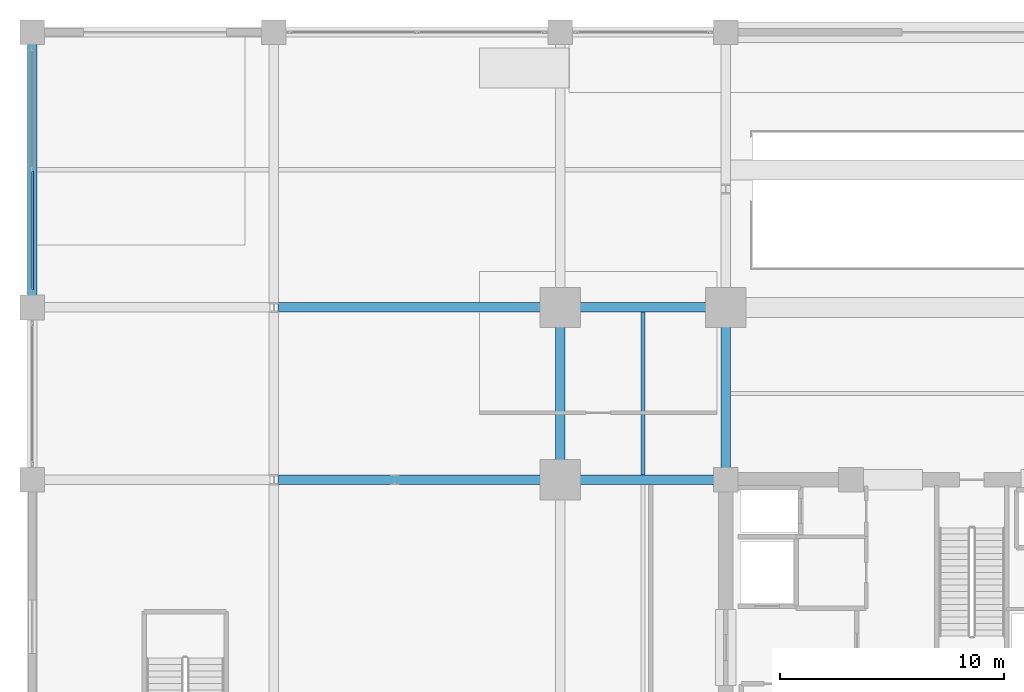
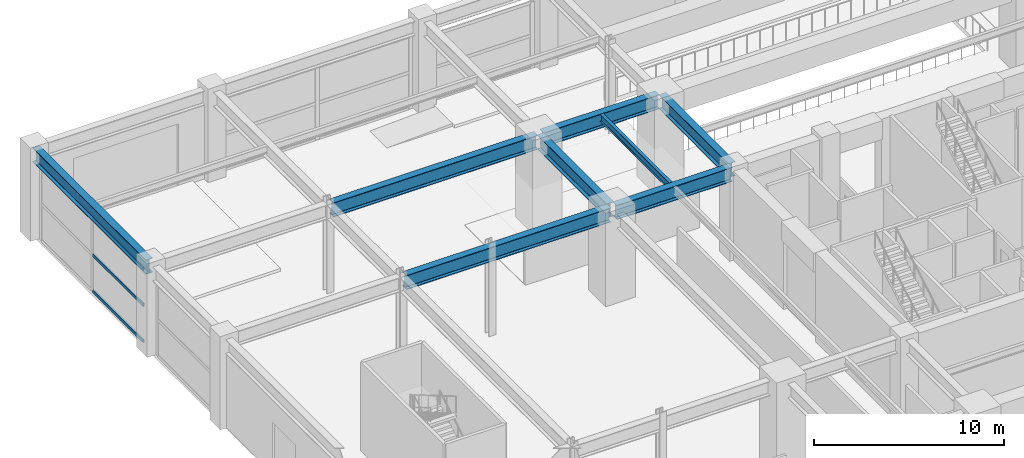
# One storey, part 14 of 41: 8 beams, 3 members, 1 element without a shape of its own.
"""IFC4 building model written with IfcOpenShell, lengths in metres."""

from ifc_helpers import new_model, si_unit, direction, frame, origin, origin_2d, place, context, subcontext, project, spatial, hollow_rectangle, i_section, extrude, material, material_profile, profile_set, type_object, element, aggregate, save


model = new_model("IFC4")

# Units and contexts
model_context = context("Model", 3, precision=1e-05, world=origin(), true_north=direction((0.0, 1.0)))
body_context = subcontext(model_context, "Body", "Model", "MODEL_VIEW")
ifc_project = project(units=[si_unit("LENGTHUNIT", "METRE"), si_unit("AREAUNIT", "SQUARE_METRE"), si_unit("VOLUMEUNIT", "CUBIC_METRE"), si_unit("PLANEANGLEUNIT", "RADIAN"), si_unit("MASSUNIT", "GRAM", prefix="KILO")], contexts=[model_context])

# Site, building, storey
site_placement = place(None, origin())
site = spatial("IfcSite", under=ifc_project, at=site_placement, CompositionType="ELEMENT")
building_placement = place(site_placement, origin())
building = spatial("IfcBuilding", under=site, at=building_placement, Name="Kovane Verandah Tower", CompositionType="ELEMENT")
storey_placement = place(building_placement, origin())
storey = spatial("IfcBuildingStorey", under=building, at=storey_placement, Name="L00", CompositionType="ELEMENT", Elevation=0.0)

# Beams
ifc_material_1 = material(Name="Steel S460", Category="steel")
ifc_material_profile_1 = material_profile(ifc_material_1, i_section(OverallWidth=0.42041015625, OverallDepth=0.9208984375, WebThickness=0.021484375, FlangeThickness=0.03662109375, FilletRadius=0.024169921875, at=origin_2d()), Name="UB914x419x388")
ifc_profile_set_1 = profile_set([ifc_material_profile_1], Name="Steel S460")
beam_type_1 = type_object("IfcBeamType", Name="BM-UB914x388", PredefinedType="BEAM", material=ifc_profile_set_1)
beam_1_placement = place(storey_placement, frame((21.780029296875, 44.199951171875, 5.259521484375), z_axis=(1.0, 0.0, 0.0), x_axis=(0.0, 1.0, 0.0)))
element("IfcBeam", 1, at=beam_1_placement, inside=storey, type_object=beam_type_1, Name="L00 Primary Tower Girder G-RN1", PredefinedType="BEAM", context=body_context, shape_type="SweptSolid", body=[
    extrude(i_section(OverallWidth=0.42041015625, OverallDepth=0.9208984375, WebThickness=0.021484375, FlangeThickness=0.03662109375, FilletRadius=0.024169921875, at=origin_2d()), origin(), (0.0, 0.0, 1.0), 7.0400390625),
])
beam_2_placement = place(storey_placement, frame((21.60009765625, 36.679931640625, 5.259521484375), z_axis=(0.0, 1.0, 0.0), x_axis=(-1.0, 0.0, 0.0)))
element("IfcBeam", 2, at=beam_2_placement, inside=storey, type_object=beam_type_1, Name="L00 Primary Tower Girder G-RW3", PredefinedType="BEAM", context=body_context, shape_type="SweptSolid", body=[
    extrude(i_section(OverallWidth=0.42041015625, OverallDepth=0.9208984375, WebThickness=0.021484375, FlangeThickness=0.03662109375, FilletRadius=0.024169921875, at=origin_2d()), origin(), (0.0, 0.0, 1.0), 7.340087890625),
])
beam_3_placement = place(storey_placement, frame((28.820068359375, 36.5, 5.259521484375), z_axis=(-1.0, 0.0, 0.0), x_axis=(0.0, -1.0, 0.0)))
element("IfcBeam", 3, at=beam_3_placement, inside=storey, type_object=beam_type_1, Name="L00 Primary Tower Girder G-W2", PredefinedType="BEAM", context=body_context, shape_type="SweptSolid", body=[
    extrude(i_section(OverallWidth=0.42041015625, OverallDepth=0.9208984375, WebThickness=0.021484375, FlangeThickness=0.03662109375, FilletRadius=0.024169921875, at=origin_2d()), origin(), (0.0, 0.0, 1.0), 7.0400390625),
])
beam_4_placement = place(storey_placement, frame((29.0, 36.679931640625, 5.259521484375), z_axis=(0.0, 1.0, 0.0), x_axis=(-1.0, 0.0, 0.0)))
element("IfcBeam", 4, at=beam_4_placement, inside=storey, type_object=beam_type_1, Name="L00 Primary Tower Girder G-N1", PredefinedType="BEAM", context=body_context, shape_type="SweptSolid", body=[
    extrude(i_section(OverallWidth=0.42041015625, OverallDepth=0.9208984375, WebThickness=0.021484375, FlangeThickness=0.03662109375, FilletRadius=0.024169921875, at=origin_2d()), origin(), (0.0, 0.0, 1.0), 7.340087890625),
])
for number, where, z_axis, x_axis, name in (
    (5, (8.97998046875, 36.5, 5.239501953125), (1.0, 0.0, 0.0), (0.0, 1.0, 0.0), "L00 Podium Grid Girder X17"),
    (6, (8.97998046875, 44.199951171875, 5.239501953125), (1.0, 0.0, 0.0), (0.0, 1.0, 0.0), "L00 Podium Grid Girder X21"),
):
    element("IfcBeam", number, at=place(storey_placement, frame(where, z_axis=z_axis, x_axis=x_axis)), inside=storey, type_object=beam_type_1, Name=name, PredefinedType="BEAM", context=body_context, shape_type="SweptSolid", body=[
        extrude(i_section(OverallWidth=0.42041015625, OverallDepth=0.9208984375, WebThickness=0.021484375, FlangeThickness=0.03662109375, FilletRadius=0.024169921875, at=origin_2d()), origin(), (0.0, 0.0, 1.0), 12.43994140625),
    ])
beam_5_placement = place(storey_placement, frame((-2.0, 44.3798828125, 5.239501953125), z_axis=(0.0, 1.0, 0.0), x_axis=(-1.0, 0.0, 0.0)))
element("IfcBeam", 7, at=beam_5_placement, inside=storey, type_object=beam_type_1, Name="L00 Podium Grid Girder Y35", PredefinedType="BEAM", context=body_context, shape_type="SweptSolid", body=[
    extrude(i_section(OverallWidth=0.42041015625, OverallDepth=0.9208984375, WebThickness=0.021484375, FlangeThickness=0.03662109375, FilletRadius=0.024169921875, at=origin_2d()), origin(), (0.0, 0.0, 1.0), 11.940185546875),
])

# Curtain wall, members
ifc_material_2 = material(Name="Champagne Anodised Aluminium Frame with Low-E Clear Laminated Glass", Category="aluminium")
curtain_wall_type = type_object("IfcCurtainWallType", Name="CW-SYS-01-POD", PredefinedType="NOTDEFINED", material=ifc_material_2)
curtain_wall_placement = place(storey_placement, origin())
curtain_wall = element("IfcCurtainWall", 8, at=curtain_wall_placement, inside=storey, type_object=curtain_wall_type, Name="Ground West Shopfront Curtain Wall Bay 5", PredefinedType="NOTDEFINED")
ifc_material_3 = material(Name="Champagne Anodised Aluminium 6063-T6", Category="aluminium")
ifc_material_profile_2 = material_profile(ifc_material_3, hollow_rectangle(XDim=0.0849609375, YDim=0.18994140625, WallThickness=0.00390625, at=origin_2d()), Name="AL85x190x4")
ifc_profile_set_2 = profile_set([ifc_material_profile_2], Name="Champagne Anodised Aluminium 6063-T6")
member_type = type_object("IfcMemberType", Name="CW-TRN-85x190", PredefinedType="USERDEFINED", material=ifc_profile_set_2)
member_1_placement = place(storey_placement, frame((-2.0, 50.300048828125, 0.050048828125), z_axis=(0.0, -1.0, 0.0), x_axis=(1.0, 0.0, 0.0)))
member_1 = element("IfcMember", 9, at=member_1_placement, type_object=member_type, Name="Ground West Shopfront Curtain Wall Bay 5 Transom TB Bay 2", ObjectType="TRANSOM", PredefinedType="USERDEFINED", context=body_context, shape_type="SweptSolid", body=[
    extrude(hollow_rectangle(XDim=0.0849609375, YDim=0.18994140625, WallThickness=0.00390625, at=origin_2d()), origin(), (0.0, 0.0, 1.0), 5.330078125),
])
member_2_placement = place(storey_placement, frame((-2.0, 50.300048828125, 2.37939453125), z_axis=(0.0, -1.0, 0.0), x_axis=(1.0, 0.0, 0.0)))
member_2 = element("IfcMember", 10, at=member_2_placement, type_object=member_type, Name="Ground West Shopfront Curtain Wall Bay 5 Transom TM Bay 2", ObjectType="TRANSOM", PredefinedType="USERDEFINED", context=body_context, shape_type="SweptSolid", body=[
    extrude(hollow_rectangle(XDim=0.0849609375, YDim=0.18994140625, WallThickness=0.00390625, at=origin_2d()), origin(), (0.0, 0.0, 1.0), 5.330078125),
])
member_3_placement = place(storey_placement, frame((-2.0, 50.300048828125, 4.708984375), z_axis=(0.0, -1.0, 0.0), x_axis=(1.0, 0.0, 0.0)))
member_3 = element("IfcMember", 11, at=member_3_placement, type_object=member_type, Name="Ground West Shopfront Curtain Wall Bay 5 Transom TT Bay 2", ObjectType="TRANSOM", PredefinedType="USERDEFINED", context=body_context, shape_type="SweptSolid", body=[
    extrude(hollow_rectangle(XDim=0.0849609375, YDim=0.18994140625, WallThickness=0.00390625, at=origin_2d()), origin(), (0.0, 0.0, 1.0), 5.330078125),
])
aggregate(curtain_wall, [member_1, member_2, member_3])

# Beam
ifc_material_4 = material(Name="Steel S355", Category="steel")
ifc_material_profile_3 = material_profile(ifc_material_4, i_section(OverallWidth=0.19287109375, OverallDepth=0.46728515625, WebThickness=0.011474609375, FlangeThickness=0.01953125, FilletRadius=0.01025390625, at=origin_2d()), Name="UB457x191x98")
ifc_profile_set_3 = profile_set([ifc_material_profile_3], Name="Steel S355")
beam_type_2 = type_object("IfcBeamType", Name="JST-UB457x98", PredefinedType="JOIST", material=ifc_profile_set_3)
beam_6_placement = place(storey_placement, frame((25.300048828125, 36.708251953125, 5.486328125), z_axis=(0.0, 1.0, 0.0), x_axis=(-1.0, 0.0, 0.0)))
element("IfcBeam", 12, at=beam_6_placement, inside=storey, type_object=beam_type_2, Name="L00 Secondary Composite Joist J-NW1", PredefinedType="JOIST", context=body_context, shape_type="SweptSolid", body=[
    extrude(i_section(OverallWidth=0.19287109375, OverallDepth=0.46728515625, WebThickness=0.011474609375, FlangeThickness=0.01953125, FilletRadius=0.01025390625, at=origin_2d()), origin(), (0.0, 0.0, 1.0), 7.283447265625),
])

save(model, "model.ifc")
